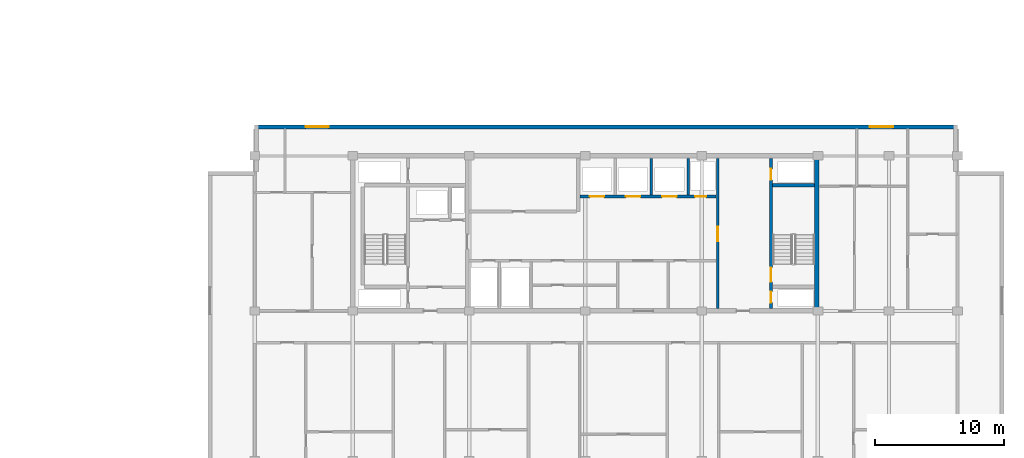
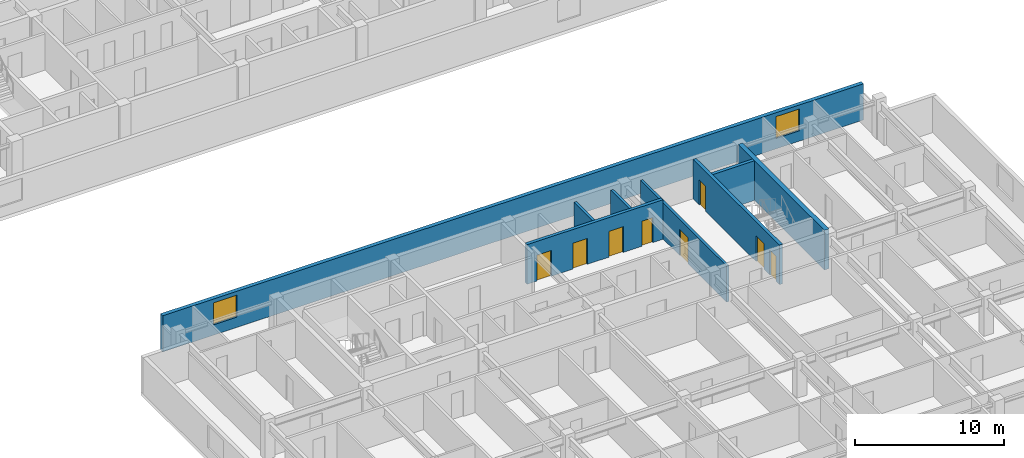
# One storey, part 7 of 21: 8 doors, 8 walls, 2 windows, 10 openings.
"""IFC4 building model written with IfcOpenShell, lengths in metres."""

from ifc_helpers import new_model, si_unit, direction, frame, frame_2d, origin, place, context, subcontext, project, spatial, rectangle, extrude, material, layer, layer_set, type_object, element, fill, save


model = new_model("IFC4")

# Units and contexts
model_context = context("Model", 3, precision=1e-05, world=origin(), true_north=direction((0.0, 1.0)))
body_context = subcontext(model_context, "Body", "Model", "MODEL_VIEW")
ifc_project = project(units=[si_unit("LENGTHUNIT", "METRE"), si_unit("AREAUNIT", "SQUARE_METRE"), si_unit("VOLUMEUNIT", "CUBIC_METRE"), si_unit("PLANEANGLEUNIT", "RADIAN"), si_unit("MASSUNIT", "GRAM", prefix="KILO")], contexts=[model_context])

# Site, building, storey
site_placement = place(None, origin())
site = spatial("IfcSite", under=ifc_project, at=site_placement, CompositionType="ELEMENT")
building_placement = place(site_placement, origin())
building = spatial("IfcBuilding", under=site, at=building_placement, Name="Korimba Cascade Residences", CompositionType="ELEMENT")
storey_placement = place(building_placement, frame((0.0, 0.0, 171.85009765625)))
storey = spatial("IfcBuildingStorey", under=building, at=storey_placement, Name="L49", CompositionType="ELEMENT", Elevation=171.85009765625)

# Wall, openings, windows
ifc_material_1 = material(Name="Precast concrete C40/50", Category="concrete")
ifc_layer_1 = layer(ifc_material_1, 0.300048828125)
ifc_layer_set_1 = layer_set([ifc_layer_1], Name="Precast concrete C40/50")
wall_type_1 = type_object("IfcWallType", Name="EW-STONE-300", PredefinedType="STANDARD", material=ifc_layer_set_1)
wall_1_placement = place(storey_placement, frame((128.89990234375, 32.64990234375, 0.0), z_axis=(0.0, 0.0, 1.0), x_axis=(-1.0, 0.0, 0.0)))
wall_1 = element("IfcWall", 1, at=wall_1_placement, inside=storey, type_object=wall_type_1, Name="L49 T2 Perimeter Stone Wall E06", PredefinedType="STANDARD", context=body_context, shape_type="SweptSolid", body=[
    extrude(rectangle(XDim=54.39990234375, YDim=0.300048828125, at=frame_2d((27.199951171875, 0.0))), origin(), (0.0, 0.0, 1.0), 2.969970703125),
])
opening_1_placement = place(wall_1_placement, frame((48.64990234375, 0.0, 0.85009765625)))
opening_1 = element("IfcOpeningElement", 2, at=opening_1_placement, cuts=wall_1, Name="Opening W-02", PredefinedType="OPENING", context=body_context, shape_type="SweptSolid", body=[
    extrude(rectangle(XDim=1.800048828125, YDim=1.800048828125, at=frame_2d((0.89990234375, 0.89990234375))), frame((0.0, 0.16015625, 0.0), z_axis=(0.0, -1.0, 0.0), x_axis=(1.0, 0.0, 0.0)), (0.0, 0.0, 1.0), 0.320068359375),
])
opening_2_placement = place(wall_1_placement, frame((4.97509765625, 0.0, 0.85009765625)))
opening_2 = element("IfcOpeningElement", 3, at=opening_2_placement, cuts=wall_1, Name="Opening W-02", PredefinedType="OPENING", context=body_context, shape_type="SweptSolid", body=[
    extrude(rectangle(XDim=1.800048828125, YDim=1.800048828125, at=frame_2d((0.89990234375, 0.89990234375))), frame((0.0, 0.16015625, 0.0), z_axis=(0.0, -1.0, 0.0), x_axis=(1.0, 0.0, 0.0)), (0.0, 0.0, 1.0), 0.320068359375),
])
ifc_material_2 = material(Name="Double-Glazed Aluminium Window", Category="aluminium")
window_type = type_object("IfcWindowType", Name="WIN-BED-1800", PartitioningType="SINGLE_PANEL", PredefinedType="WINDOW", material=ifc_material_2)
window_1_placement = place(opening_1_placement, origin())
window_1 = element("IfcWindow", 4, at=window_1_placement, inside=storey, type_object=window_type, Name="L49 T2 North Corner Bedroom Window 1", OverallHeight=1.800048828125, OverallWidth=1.800048828125, PartitioningType="SINGLE_PANEL", PredefinedType="WINDOW", context=body_context, shape_type="SweptSolid", body=[
    extrude(rectangle(XDim=1.800048828125, YDim=1.800048828125, at=frame_2d((0.89990234375, 0.89990234375))), frame((0.0, 0.030029296875, 0.0), z_axis=(0.0, -1.0, 0.0), x_axis=(1.0, 0.0, 0.0)), (0.0, 0.0, 1.0), 0.06005859375),
])
fill(opening_1, window_1)
window_2_placement = place(opening_2_placement, origin())
window_2 = element("IfcWindow", 5, at=window_2_placement, inside=storey, type_object=window_type, Name="L49 T2 North Corner Bedroom Window 2", OverallHeight=1.800048828125, OverallWidth=1.800048828125, PartitioningType="SINGLE_PANEL", PredefinedType="WINDOW", context=body_context, shape_type="SweptSolid", body=[
    extrude(rectangle(XDim=1.800048828125, YDim=1.800048828125, at=frame_2d((0.89990234375, 0.89990234375))), frame((0.0, 0.030029296875, 0.0), z_axis=(0.0, -1.0, 0.0), x_axis=(1.0, 0.0, 0.0)), (0.0, 0.0, 1.0), 0.06005859375),
])
fill(opening_2, window_2)

# Walls
ifc_material_3 = material(Name="Concrete C65/80", Category="concrete")
ifc_layer_2 = layer(ifc_material_3, 0.35009765625)
ifc_layer_set_2 = layer_set([ifc_layer_2], Name="Concrete C65/80")
wall_type_2 = type_object("IfcWallType", Name="WAL-CORE-350", PredefinedType="SHEAR", material=ifc_layer_set_2)
wall_2_placement = place(storey_placement, frame((118.014892578125, 18.574951171875, 0.0), z_axis=(0.0, 0.0, 1.0), x_axis=(0.0, 1.0, 0.0)))
element("IfcWall", 6, at=wall_2_placement, inside=storey, type_object=wall_type_2, Name="L49 Core Shear Wall CW-L49-T2-E", PredefinedType="SHEAR", context=body_context, shape_type="SweptSolid", body=[
    extrude(rectangle(XDim=11.650146484375, YDim=0.35009765625, at=frame_2d((5.8251953125, 0.0))), origin(), (0.0, 0.0, 1.0), 3.25),
])
ifc_material_4 = material(Name="Concrete C40/50", Category="concrete")
ifc_layer_3 = layer(ifc_material_4, 0.199951171875)
ifc_layer_set_3 = layer_set([ifc_layer_3], Name="Concrete C40/50")
wall_type_3 = type_object("IfcWallType", Name="WAL-PART-200", PredefinedType="PARTITIONING", material=ifc_layer_set_3)
for number, where, z_axis, x_axis, name in (
    (7, (105.199951171875, 27.3798828125, 0.0), (0.0, 0.0, 1.0), (0.0, 1.0, 0.0), "L49 Partition Wall CW-L49-T2-B2D2"),
    (8, (108.050048828125, 27.3798828125, 0.0), (0.0, 0.0, 1.0), (0.0, 1.0, 0.0), "L49 Partition Wall CW-L49-T2-B2D3"),
):
    element("IfcWall", number, at=place(storey_placement, frame(where, z_axis=z_axis, x_axis=x_axis)), inside=storey, type_object=wall_type_3, Name=name, PredefinedType="PARTITIONING", context=body_context, shape_type="SweptSolid", body=[
        extrude(rectangle(XDim=2.820068359375, YDim=0.199951171875, at=frame_2d((1.41015625, 0.0))), origin(), (0.0, 0.0, 1.0), 2.969970703125),
    ])

# Wall, opening, door
wall_3_placement = place(storey_placement, frame((110.35009765625, 18.60009765625, 0.0), z_axis=(0.0, 0.0, 1.0), x_axis=(0.0, 1.0, 0.0)))
wall_3 = element("IfcWall", 9, at=wall_3_placement, inside=storey, type_object=wall_type_3, Name="L49 Partition Wall CW-L49-T2-LLEV", PredefinedType="PARTITIONING", context=body_context, shape_type="SweptSolid", body=[
    extrude(rectangle(XDim=11.599853515625, YDim=0.199951171875, at=frame_2d((5.7998046875, 0.0))), origin(), (0.0, 0.0, 1.0), 2.969970703125),
])
opening_3_placement = place(wall_3_placement, frame((5.199951171875, 0.0, 0.0)))
opening_3 = element("IfcOpeningElement", 10, at=opening_3_placement, cuts=wall_3, Name="Opening D-FD6", PredefinedType="OPENING", context=body_context, shape_type="SweptSolid", body=[
    extrude(rectangle(XDim=1.10009765625, YDim=2.14990234375, at=frame_2d((0.550048828125, 1.074951171875))), frame((0.0, 0.10986328125, 0.0), z_axis=(0.0, -1.0, 0.0), x_axis=(1.0, 0.0, 0.0)), (0.0, 0.0, 1.0), 0.219970703125),
])
ifc_material_5 = material(Name="Fire-Rated Timber Stair Lobby Door", Category="wood")
door_type_1 = type_object("IfcDoorType", Name="DR-FD90-1100", OperationType="NOTDEFINED", PredefinedType="DOOR", material=ifc_material_5)
door_1_placement = place(opening_3_placement, origin())
door_1 = element("IfcDoor", 11, at=door_1_placement, inside=storey, type_object=door_type_1, Name="L49 T2 Lift Lobby to East Stair Lobby Door", OperationType="SINGLE_SWING_LEFT", OverallHeight=2.14990234375, OverallWidth=1.10009765625, PredefinedType="DOOR", context=body_context, shape_type="SweptSolid", body=[
    extrude(rectangle(XDim=1.10009765625, YDim=2.14990234375, at=frame_2d((0.550048828125, 1.074951171875))), frame((0.0, 0.02490234375, 0.0), z_axis=(0.0, -1.0, 0.0), x_axis=(1.0, 0.0, 0.0)), (0.0, 0.0, 1.0), 0.050048828125),
])
fill(opening_3, door_1)

# Wall, openings, doors
ifc_material_6 = material(Name="Concrete C50/60", Category="concrete")
ifc_layer_4 = layer(ifc_material_6, 0.25)
ifc_layer_set_4 = layer_set([ifc_layer_4], Name="Concrete C50/60")
wall_type_4 = type_object("IfcWallType", Name="WAL-SHAFT-250", PredefinedType="SHEAR", material=ifc_layer_set_4)
wall_4_placement = place(storey_placement, frame((99.679931640625, 27.25, 0.0), z_axis=(0.0, 0.0, 1.0), x_axis=(1.0, 0.0, 0.0)))
wall_4 = element("IfcWall", 12, at=wall_4_placement, inside=storey, type_object=wall_type_4, Name="L49 Core Shear Wall CW-L49-T2-B2S", PredefinedType="SHEAR", context=body_context, shape_type="SweptSolid", body=[
    extrude(rectangle(XDim=10.5400390625, YDim=0.25, at=frame_2d((5.27001953125, 0.0))), origin(), (0.0, 0.0, 1.0), 3.25),
])
opening_4_placement = place(wall_4_placement, frame((0.760009765625, 0.0, 0.0)))
opening_4 = element("IfcOpeningElement", 13, at=opening_4_placement, cuts=wall_4, Name="Opening LD-01", PredefinedType="OPENING", context=body_context, shape_type="SweptSolid", body=[
    extrude(rectangle(XDim=1.1201171875, YDim=2.1201171875, at=frame_2d((0.56005859375, 1.06005859375))), frame((0.0, 0.135009765625, 0.0), z_axis=(0.0, -1.0, 0.0), x_axis=(1.0, 0.0, 0.0)), (0.0, 0.0, 1.0), 0.27001953125),
])
opening_5_placement = place(wall_4_placement, frame((3.56005859375, 0.0, 0.0)))
opening_5 = element("IfcOpeningElement", 14, at=opening_5_placement, cuts=wall_4, Name="Opening LD-01", PredefinedType="OPENING", context=body_context, shape_type="SweptSolid", body=[
    extrude(rectangle(XDim=1.1201171875, YDim=2.1201171875, at=frame_2d((0.56005859375, 1.06005859375))), frame((0.0, 0.135009765625, 0.0), z_axis=(0.0, -1.0, 0.0), x_axis=(1.0, 0.0, 0.0)), (0.0, 0.0, 1.0), 0.27001953125),
])
opening_6_placement = place(wall_4_placement, frame((6.360107421875, 0.0, 0.0)))
opening_6 = element("IfcOpeningElement", 15, at=opening_6_placement, cuts=wall_4, Name="Opening LD-01", PredefinedType="OPENING", context=body_context, shape_type="SweptSolid", body=[
    extrude(rectangle(XDim=1.1201171875, YDim=2.1201171875, at=frame_2d((0.56005859375, 1.06005859375))), frame((0.0, 0.135009765625, 0.0), z_axis=(0.0, -1.0, 0.0), x_axis=(1.0, 0.0, 0.0)), (0.0, 0.0, 1.0), 0.27001953125),
])
opening_7_placement = place(wall_4_placement, frame((8.919921875, 0.0, 0.0)))
opening_7 = element("IfcOpeningElement", 16, at=opening_7_placement, cuts=wall_4, Name="Opening D-RS1", PredefinedType="OPENING", context=body_context, shape_type="SweptSolid", body=[
    extrude(rectangle(XDim=0.85009765625, YDim=2.050048828125, at=frame_2d((0.425048828125, 1.02490234375))), frame((0.0, 0.135009765625, 0.0), z_axis=(0.0, -1.0, 0.0), x_axis=(1.0, 0.0, 0.0)), (0.0, 0.0, 1.0), 0.27001953125),
])
ifc_material_7 = material(Name="Fire-Rated Steel Riser Access Door", Category="steel")
door_type_2 = type_object("IfcDoorType", Name="DR-FD60-850", OperationType="NOTDEFINED", PredefinedType="DOOR", material=ifc_material_7)
door_2_placement = place(opening_7_placement, origin())
door_2 = element("IfcDoor", 17, at=door_2_placement, inside=storey, type_object=door_type_2, Name="L49 T2 Duct Door", OperationType="SINGLE_SWING_LEFT", OverallHeight=2.050048828125, OverallWidth=0.85009765625, PredefinedType="DOOR", context=body_context, shape_type="SweptSolid", body=[
    extrude(rectangle(XDim=0.85009765625, YDim=2.050048828125, at=frame_2d((0.425048828125, 1.02490234375))), frame((0.0, 0.02490234375, 0.0), z_axis=(0.0, -1.0, 0.0), x_axis=(1.0, 0.0, 0.0)), (0.0, 0.0, 1.0), 0.050048828125),
])
fill(opening_7, door_2)
ifc_material_8 = material(Name="Stainless Steel Lift Landing Sliding Door", Category="steel")
door_type_3 = type_object("IfcDoorType", Name="DR-LIFT-1100", OperationType="NOTDEFINED", PredefinedType="DOOR", material=ifc_material_8)
door_3_placement = place(opening_4_placement, origin())
door_3 = element("IfcDoor", 18, at=door_3_placement, inside=storey, type_object=door_type_3, Name="L49 Lift Landing Door PL-E4", OperationType="SLIDING_TO_RIGHT", OverallHeight=2.1201171875, OverallWidth=1.1201171875, PredefinedType="DOOR", context=body_context, shape_type="SweptSolid", body=[
    extrude(rectangle(XDim=1.1201171875, YDim=2.1201171875, at=frame_2d((0.56005859375, 1.06005859375))), frame((0.0, 0.02490234375, 0.0), z_axis=(0.0, -1.0, 0.0), x_axis=(1.0, 0.0, 0.0)), (0.0, 0.0, 1.0), 0.050048828125),
])
fill(opening_4, door_3)
door_4_placement = place(opening_5_placement, origin())
door_4 = element("IfcDoor", 19, at=door_4_placement, inside=storey, type_object=door_type_3, Name="L49 Lift Landing Door PL-E5", OperationType="SLIDING_TO_RIGHT", OverallHeight=2.1201171875, OverallWidth=1.1201171875, PredefinedType="DOOR", context=body_context, shape_type="SweptSolid", body=[
    extrude(rectangle(XDim=1.1201171875, YDim=2.1201171875, at=frame_2d((0.56005859375, 1.06005859375))), frame((0.0, 0.02490234375, 0.0), z_axis=(0.0, -1.0, 0.0), x_axis=(1.0, 0.0, 0.0)), (0.0, 0.0, 1.0), 0.050048828125),
])
fill(opening_5, door_4)
door_5_placement = place(opening_6_placement, origin())
door_5 = element("IfcDoor", 20, at=door_5_placement, inside=storey, type_object=door_type_3, Name="L49 Lift Landing Door PL-E6", OperationType="SLIDING_TO_RIGHT", OverallHeight=2.1201171875, OverallWidth=1.1201171875, PredefinedType="DOOR", context=body_context, shape_type="SweptSolid", body=[
    extrude(rectangle(XDim=1.1201171875, YDim=2.1201171875, at=frame_2d((0.56005859375, 1.06005859375))), frame((0.0, 0.02490234375, 0.0), z_axis=(0.0, -1.0, 0.0), x_axis=(1.0, 0.0, 0.0)), (0.0, 0.0, 1.0), 0.050048828125),
])
fill(opening_6, door_5)

wall_5_placement = place(storey_placement, frame((114.47509765625, 18.60009765625, 0.0), z_axis=(0.0, 0.0, 1.0), x_axis=(0.0, 1.0, 0.0)))
wall_5 = element("IfcWall", 21, at=wall_5_placement, inside=storey, type_object=wall_type_4, Name="L49 Core Shear Wall CW-L49-T2-STE2W", PredefinedType="SHEAR", context=body_context, shape_type="SweptSolid", body=[
    extrude(rectangle(XDim=11.599853515625, YDim=0.25, at=frame_2d((5.7998046875, 0.0))), origin(), (0.0, 0.0, 1.0), 3.25),
])
opening_8_placement = place(wall_5_placement, frame((0.449951171875, 0.0, 0.0)))
opening_8 = element("IfcOpeningElement", 22, at=opening_8_placement, cuts=wall_5, Name="Opening D-RS1", PredefinedType="OPENING", context=body_context, shape_type="SweptSolid", body=[
    extrude(rectangle(XDim=0.85009765625, YDim=2.050048828125, at=frame_2d((0.425048828125, 1.02490234375))), frame((0.0, 0.135009765625, 0.0), z_axis=(0.0, -1.0, 0.0), x_axis=(1.0, 0.0, 0.0)), (0.0, 0.0, 1.0), 0.27001953125),
])
opening_9_placement = place(wall_5_placement, frame((2.050048828125, 0.0, 0.0)))
opening_9 = element("IfcOpeningElement", 23, at=opening_9_placement, cuts=wall_5, Name="Opening D-FD1", PredefinedType="OPENING", context=body_context, shape_type="SweptSolid", body=[
    extrude(rectangle(XDim=1.10009765625, YDim=2.10009765625, at=frame_2d((0.550048828125, 1.050048828125))), frame((0.0, 0.135009765625, 0.0), z_axis=(0.0, -1.0, 0.0), x_axis=(1.0, 0.0, 0.0)), (0.0, 0.0, 1.0), 0.27001953125),
])
opening_10_placement = place(wall_5_placement, frame((9.949951171875, 0.0, 0.0)))
opening_10 = element("IfcOpeningElement", 24, at=opening_10_placement, cuts=wall_5, Name="Opening D-RS1", PredefinedType="OPENING", context=body_context, shape_type="SweptSolid", body=[
    extrude(rectangle(XDim=0.85009765625, YDim=2.050048828125, at=frame_2d((0.425048828125, 1.02490234375))), frame((0.0, 0.135009765625, 0.0), z_axis=(0.0, -1.0, 0.0), x_axis=(1.0, 0.0, 0.0)), (0.0, 0.0, 1.0), 0.27001953125),
])
ifc_material_9 = material(Name="Fire-Rated Steel Core Door", Category="steel")
door_type_4 = type_object("IfcDoorType", Name="DR-FD120-1100", OperationType="NOTDEFINED", PredefinedType="DOOR", material=ifc_material_9)
door_6_placement = place(opening_9_placement, origin())
door_6 = element("IfcDoor", 25, at=door_6_placement, inside=storey, type_object=door_type_4, Name="L49 Fire Stair ST-E2 Door", OperationType="SINGLE_SWING_LEFT", OverallHeight=2.10009765625, OverallWidth=1.10009765625, PredefinedType="DOOR", context=body_context, shape_type="SweptSolid", body=[
    extrude(rectangle(XDim=1.10009765625, YDim=2.10009765625, at=frame_2d((0.550048828125, 1.050048828125))), frame((0.0, 0.02490234375, 0.0), z_axis=(0.0, -1.0, 0.0), x_axis=(1.0, 0.0, 0.0)), (0.0, 0.0, 1.0), 0.050048828125),
])
fill(opening_9, door_6)
door_7_placement = place(opening_8_placement, origin())
door_7 = element("IfcDoor", 26, at=door_7_placement, inside=storey, type_object=door_type_2, Name="L49 T2 East Hydrant Door", OperationType="SINGLE_SWING_RIGHT", OverallHeight=2.050048828125, OverallWidth=0.85009765625, PredefinedType="DOOR", context=body_context, shape_type="SweptSolid", body=[
    extrude(rectangle(XDim=0.85009765625, YDim=2.050048828125, at=frame_2d((0.425048828125, 1.02490234375))), frame((0.0, 0.02490234375, 0.0), z_axis=(0.0, -1.0, 0.0), x_axis=(1.0, 0.0, 0.0)), (0.0, 0.0, 1.0), 0.050048828125),
])
fill(opening_8, door_7)
door_8_placement = place(opening_10_placement, origin())
door_8 = element("IfcDoor", 27, at=door_8_placement, inside=storey, type_object=door_type_2, Name="L49 T2 East Riser Door", OperationType="SINGLE_SWING_RIGHT", OverallHeight=2.050048828125, OverallWidth=0.85009765625, PredefinedType="DOOR", context=body_context, shape_type="SweptSolid", body=[
    extrude(rectangle(XDim=0.85009765625, YDim=2.050048828125, at=frame_2d((0.425048828125, 1.02490234375))), frame((0.0, 0.02490234375, 0.0), z_axis=(0.0, -1.0, 0.0), x_axis=(1.0, 0.0, 0.0)), (0.0, 0.0, 1.0), 0.050048828125),
])
fill(opening_10, door_8)

# Wall
wall_6_placement = place(storey_placement, frame((114.60009765625, 28.125, 0.0), z_axis=(0.0, 0.0, 1.0), x_axis=(1.0, 0.0, 0.0)))
element("IfcWall", 28, at=wall_6_placement, inside=storey, type_object=wall_type_4, Name="L49 Core Shear Wall CW-L49-T2-STE2N", PredefinedType="SHEAR", context=body_context, shape_type="SweptSolid", body=[
    extrude(rectangle(XDim=3.239990234375, YDim=0.25, at=frame_2d((1.6201171875, 0.0))), origin(), (0.0, 0.0, 1.0), 3.25),
])

save(model, "model.ifc")
